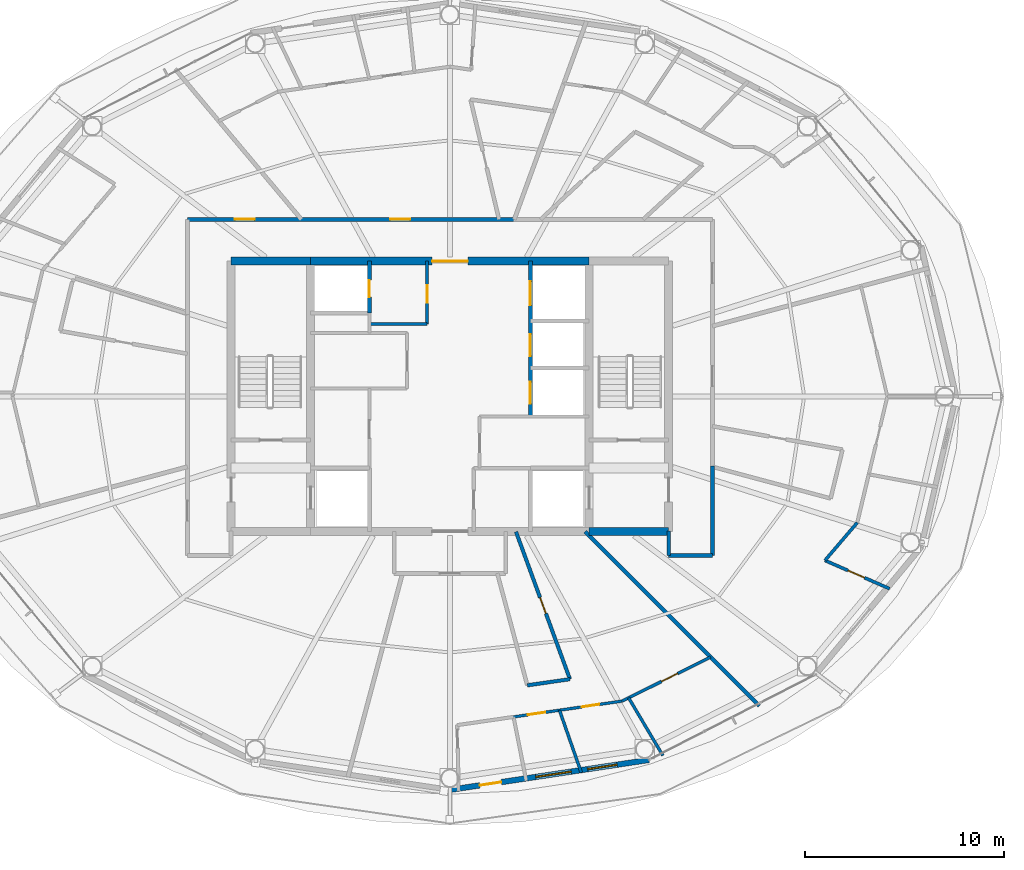
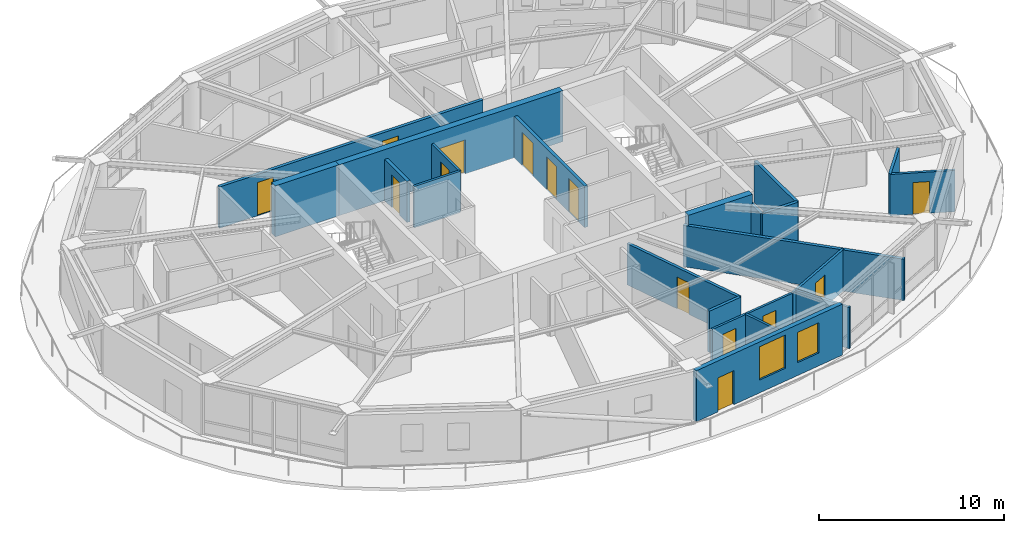
# One storey, part 17 of 23: 21 walls, 14 doors, 2 windows, 16 openings.
"""IFC4 building model written with IfcOpenShell, lengths in metres."""

import ifcopenshell
import ifcopenshell.guid

model = None  # the IFC model being written
_history = None  # IfcOwnerHistory: only IFC2X3 demands one
_inside = {}  # id of a spatial element -> (the spatial element, [elements in it])
_under = {}  # id of a project, library or spatial element -> (it, [spatial elements below it])
_declared = {}  # id of a project -> (the project, [libraries it declares])
_typed = {}  # id of a type object -> (the type object, [elements of that type])
_made_of = {}  # id of a material, layer set ... -> (it, [elements and type objects made of it])


def new_model(schema):
    """Start an empty IFC model of exactly this schema.

    Asked for "IFC4X3", IfcOpenShell would pick the latest addendum, in which some entities
    have other attributes; the version numbers below select the first issue.
    IFC2X3 requires an IfcOwnerHistory on every rooted entity: one is made here for all.
    """
    global model, _history
    if schema == "IFC4X3":
        model = ifcopenshell.file(schema_version=(4, 3, 0, 0))
    else:
        model = ifcopenshell.file(schema=schema)
    _inside.clear()
    _under.clear()
    _declared.clear()
    _typed.clear()
    _made_of.clear()
    _history = None
    if model.schema == "IFC2X3":
        org = make("IfcOrganization", Name="unknown")
        user = make(
            "IfcPersonAndOrganization",
            ThePerson=make("IfcPerson", FamilyName="unknown"),
            TheOrganization=org,
        )
        app = make(
            "IfcApplication",
            ApplicationDeveloper=org,
            Version="unknown",
            ApplicationFullName="unknown",
            ApplicationIdentifier="unknown",
        )
        _history = make(
            "IfcOwnerHistory",
            OwningUser=user,
            OwningApplication=app,
            ChangeAction="ADDED",
            CreationDate=0,
        )
    return model


def make(cls, **values):
    """One entity of the class cls with the attributes given. An attribute that is None is left unset."""
    return model.create_entity(
        cls, **{name: value for name, value in values.items() if value is not None}
    )


def rooted(cls, **values):
    """An entity with a GlobalId (a new one), such as an element, a storey or a relation."""
    return make(cls, GlobalId=ifcopenshell.guid.new(), OwnerHistory=_history, **values)


def si_unit(unit_type, name, prefix=None):
    """IfcSIUnit, for example si_unit("LENGTHUNIT", "METRE", prefix="MILLI")."""
    return make("IfcSIUnit", UnitType=unit_type, Prefix=prefix, Name=name)


def assignment(units):
    """IfcUnitAssignment: the units of a project."""
    return None if units is None else make("IfcUnitAssignment", Units=units)


def point(xyz):
    """IfcCartesianPoint."""
    return None if xyz is None else make("IfcCartesianPoint", Coordinates=xyz)


def direction(xyz):
    """IfcDirection."""
    return None if xyz is None else make("IfcDirection", DirectionRatios=xyz)


def frame(location, z_axis=None, x_axis=None):
    """IfcAxis2Placement3D, a coordinate frame: its origin and axes. An axis left out is left unset."""
    return make(
        "IfcAxis2Placement3D",
        Location=point(location),
        Axis=direction(z_axis),
        RefDirection=direction(x_axis),
    )


def frame_2d(location, x_axis=None):
    """IfcAxis2Placement2D, a coordinate frame in the plane: its origin and x axis."""
    return make(
        "IfcAxis2Placement2D", Location=point(location), RefDirection=direction(x_axis)
    )


def origin():
    """The frame at (0, 0, 0) with its axes left unset."""
    return frame((0.0, 0.0, 0.0))


def place(relative_to, where):
    """IfcLocalPlacement: puts the frame where relative to a parent placement (None: the world)."""
    return make(
        "IfcLocalPlacement", PlacementRelTo=relative_to, RelativePlacement=where
    )


def context(
    kind, dimensions, precision=None, world=None, true_north=None, identifier=None
):
    """IfcGeometricRepresentationContext, for example the 3D "Model" context."""
    return make(
        "IfcGeometricRepresentationContext",
        ContextIdentifier=identifier,
        ContextType=kind,
        CoordinateSpaceDimension=dimensions,
        Precision=precision,
        WorldCoordinateSystem=world,
        TrueNorth=true_north,
    )


def subcontext(parent, identifier, kind, view, scale=None):
    """IfcGeometricRepresentationSubContext, for example "Body" below "Model"."""
    return make(
        "IfcGeometricRepresentationSubContext",
        ContextIdentifier=identifier,
        ContextType=kind,
        ParentContext=parent,
        TargetScale=scale,
        TargetView=view,
    )


def project(units=None, contexts=None):
    """IfcProject with its units and contexts."""
    return rooted(
        "IfcProject",
        Name="project",
        RepresentationContexts=contexts,
        UnitsInContext=assignment(units),
    )


def spatial(cls, under=None, at=None, **own):
    """A site, building, storey or space (cls), placed at a placement, below another one or the project."""
    s = rooted(cls, ObjectPlacement=at, **own)
    if under is not None:
        _under.setdefault(under.id(), (under, []))[1].append(s)
    return s


def profile(cls, at=None, kind="AREA", **sizes):
    """A parametric profile (cls). Its sizes go by their IFC names, for example OverallWidth=200.0."""
    return make(cls, ProfileType=kind, Position=at, **sizes)


def rectangle(**sizes):
    """IfcRectangleProfileDef."""
    return profile("IfcRectangleProfileDef", **sizes)


def extrude(swept, where, along, depth):
    """IfcExtrudedAreaSolid: the profile swept, set in the frame where, extruded along a direction by depth."""
    return make(
        "IfcExtrudedAreaSolid",
        SweptArea=swept,
        Position=where,
        ExtrudedDirection=direction(along),
        Depth=depth,
    )


def shape(context_of_items, identifier, shape_type, items):
    """IfcShapeRepresentation: the items that make up one representation, for example the "Body"."""
    return make(
        "IfcShapeRepresentation",
        ContextOfItems=context_of_items,
        RepresentationIdentifier=identifier,
        RepresentationType=shape_type,
        Items=items,
    )


def material(Name=None, Category=None):
    """IfcMaterial."""
    return make("IfcMaterial", Name=Name, Category=Category)


def layer(
    of_material, thickness, ventilated=None, Name=None, Category=None, Priority=None
):
    """IfcMaterialLayer: one layer of a wall or slab, of a material (None: an air gap)."""
    return make(
        "IfcMaterialLayer",
        Material=of_material,
        LayerThickness=thickness,
        IsVentilated=ventilated,
        Name=Name,
        Category=Category,
        Priority=Priority,
    )


def layer_set(layers, Name=None):
    """IfcMaterialLayerSet."""
    return make("IfcMaterialLayerSet", MaterialLayers=layers, LayerSetName=Name)


def made_of(thing, what):
    """Note that an element or type object is made of a material, layer set ...; save() writes the relation."""
    if what is not None:
        _made_of.setdefault(what.id(), (what, []))[1].append(thing)
    return thing


def type_object(cls, material=None, **own):
    """A type object (cls), such as IfcWallType, which elements share."""
    return made_of(rooted(cls, **own), material)


def element(
    cls,
    number,
    at=None,
    inside=None,
    cuts=None,
    type_object=None,
    material=None,
    context=None,
    identifier="Body",
    shape_type=None,
    held_by="IfcProductDefinitionShape",
    body=None,
    shapes=None,
    **own,
):
    """One element of the class cls, such as IfcWall. Its Tag is "e" and its number.

    at: its placement. inside: the storey or other place that contains it. cuts: it is an
    opening in that element (IfcRelVoidsElement). A single representation is given by context,
    identifier, shape_type and body (its items); several are given by shapes. held_by: the class
    of the entity that holds the representations. save() writes the other relations.
    """
    e = rooted(cls, Tag="e%d" % number, ObjectPlacement=at, **own)
    if body is not None:
        shapes = [shape(context, identifier, shape_type, body)]
    if shapes is not None:
        e.Representation = make(held_by, Representations=shapes)
    if inside is not None:
        _inside.setdefault(inside.id(), (inside, []))[1].append(e)
    if cuts is not None:
        rooted(
            "IfcRelVoidsElement", RelatingBuildingElement=cuts, RelatedOpeningElement=e
        )
    if type_object is not None:
        _typed.setdefault(type_object.id(), (type_object, []))[1].append(e)
    return made_of(e, material)


def fill(opening, filler):
    """IfcRelFillsElement: the door or window that sits in an opening."""
    return rooted(
        "IfcRelFillsElement",
        RelatingOpeningElement=opening,
        RelatedBuildingElement=filler,
    )


def aggregate(whole, parts):
    """IfcRelAggregates: a whole, such as a stair, and the parts it consists of."""
    return rooted("IfcRelAggregates", RelatingObject=whole, RelatedObjects=parts)


def save(model, path):
    """Write the relations noted so far, then the file.

    IfcRelAggregates (storeys below a building ...), IfcRelContainedInSpatialStructure (elements
    in a storey), IfcRelDefinesByType, IfcRelAssociatesMaterial and IfcRelDeclares: one each for
    every whole, place, type object, material and project.
    """
    for whole, parts in _under.values():
        aggregate(whole, parts)
    for where, things in _inside.values():
        rooted(
            "IfcRelContainedInSpatialStructure",
            RelatedElements=things,
            RelatingStructure=where,
        )
    for kind, things in _typed.values():
        rooted("IfcRelDefinesByType", RelatedObjects=things, RelatingType=kind)
    for what, things in _made_of.values():
        rooted("IfcRelAssociatesMaterial", RelatedObjects=things, RelatingMaterial=what)
    for by, libraries in _declared.values():
        rooted("IfcRelDeclares", RelatingContext=by, RelatedDefinitions=libraries)
    model.write(path)


model = new_model("IFC4")

# Units and contexts
model_context = context("Model", 3, precision=1e-05, world=origin(), true_north=direction((0.0, 1.0)))
body_context = subcontext(model_context, "Body", "Model", "MODEL_VIEW")
ifc_project = project(units=[si_unit("LENGTHUNIT", "METRE"), si_unit("AREAUNIT", "SQUARE_METRE"), si_unit("VOLUMEUNIT", "CUBIC_METRE"), si_unit("PLANEANGLEUNIT", "RADIAN"), si_unit("MASSUNIT", "GRAM", prefix="KILO")], contexts=[model_context])

# Site, building, storey
site_placement = place(None, origin())
site = spatial("IfcSite", under=ifc_project, at=site_placement, CompositionType="ELEMENT")
building_placement = place(site_placement, origin())
building = spatial("IfcBuilding", under=site, at=building_placement, Name="Sarneth Arch Tower", CompositionType="ELEMENT")
storey_placement = place(building_placement, frame((0.0, 0.0, 262.199951171875)))
storey = spatial("IfcBuildingStorey", under=building, at=storey_placement, Name="L67", CompositionType="ELEMENT", Elevation=262.199951171875)

# Walls
ifc_material_1 = material(Name="Concrete C50/60", Category="concrete")
ifc_layer_1 = layer(ifc_material_1, 0.39990234375)
ifc_layer_set_1 = layer_set([ifc_layer_1], Name="Concrete C50/60")
wall_type_1 = type_object("IfcWallType", Name="WALL-CORE-400", PredefinedType="SHEAR", material=ifc_layer_set_1)
for number, where, z_axis, x_axis, name in (
    (1, (55.0, 35.199951171875, 0.0), (0.0, 0.0, 1.0), (1.0, 0.0, 0.0), "L67 Core shear wall S-E"),
    (2, (37.0, 48.800048828125, 0.0), (0.0, 0.0, 1.0), (1.0, 0.0, 0.0), "L67 Core shear wall N-W"),
):
    element("IfcWall", number, at=place(storey_placement, frame(where, z_axis=z_axis, x_axis=x_axis)), inside=storey, type_object=wall_type_1, Name=name, PredefinedType="SHEAR", context=body_context, shape_type="SweptSolid", body=[
        extrude(rectangle(XDim=4.0, YDim=0.39990234375, at=frame_2d((2.0, 0.0))), origin(), (0.0, 0.0, 1.0), 3.3701171875),
    ])

# Wall, opening, door
wall_1_placement = place(storey_placement, frame((41.0, 48.800048828125, 0.0), z_axis=(0.0, 0.0, 1.0), x_axis=(1.0, 0.0, 0.0)))
wall_1 = element("IfcWall", 3, at=wall_1_placement, inside=storey, type_object=wall_type_1, Name="L67 Core shear wall N-M", PredefinedType="SHEAR", context=body_context, shape_type="SweptSolid", body=[
    extrude(rectangle(XDim=14.0, YDim=0.39990234375, at=frame_2d((7.0, 0.0))), origin(), (0.0, 0.0, 1.0), 3.3701171875),
])
opening_1_placement = place(wall_1_placement, frame((6.10009765625, 0.0, 0.0)))
opening_1 = element("IfcOpeningElement", 4, at=opening_1_placement, cuts=wall_1, Name="Opening FD-01", PredefinedType="OPENING", context=body_context, shape_type="SweptSolid", body=[
    extrude(rectangle(XDim=1.800048828125, YDim=2.25, at=frame_2d((0.89990234375, 1.125))), frame((0.0, 0.2099609375, 0.0), z_axis=(0.0, -1.0, 0.0), x_axis=(1.0, 0.0, 0.0)), (0.0, 0.0, 1.0), 0.419921875),
])
ifc_material_2 = material(Name="Galvanised Steel S275 fire door set", Category="steel")
door_type_1 = type_object("IfcDoorType", Name="DR-FD90-1800", OperationType="DOUBLE_DOOR_SINGLE_SWING", PredefinedType="DOOR", material=ifc_material_2)
door_1_placement = place(opening_1_placement, origin())
door_1 = element("IfcDoor", 5, at=door_1_placement, inside=storey, type_object=door_type_1, Name="L67 Central lift lobby north door", OperationType="DOUBLE_DOOR_SINGLE_SWING", OverallHeight=2.25, OverallWidth=1.800048828125, PredefinedType="DOOR", context=body_context, shape_type="SweptSolid", body=[
    extrude(rectangle(XDim=1.800048828125, YDim=2.25, at=frame_2d((0.89990234375, 1.125))), frame((0.0, 0.02490234375, 0.0), z_axis=(0.0, -1.0, 0.0), x_axis=(1.0, 0.0, 0.0)), (0.0, 0.0, 1.0), 0.050048828125),
])
fill(opening_1, door_1)

# Wall, openings, doors
ifc_material_3 = material(Name="Double steel-stud corridor fire wall", Category="steel")
ifc_layer_2 = layer(ifc_material_3, 0.18994140625)
ifc_layer_set_2 = layer_set([ifc_layer_2], Name="Double steel-stud corridor fire wall")
wall_type_2 = type_object("IfcWallType", Name="WALL-CORR-190", PredefinedType="PARTITIONING", material=ifc_layer_set_2)
wall_2_placement = place(storey_placement, frame((34.800048828125, 50.89990234375, 0.0), z_axis=(0.0, 0.0, 1.0), x_axis=(1.0, 0.0, 0.0)))
wall_2 = element("IfcWall", 6, at=wall_2_placement, inside=storey, type_object=wall_type_2, Name="L67 Interior partition W-L67-TP-005", PredefinedType="PARTITIONING", context=body_context, shape_type="SweptSolid", body=[
    extrude(rectangle(XDim=16.473388671875, YDim=0.18994140625, at=frame_2d((8.23681640625, 0.0))), origin(), (0.0, 0.0, 1.0), 2.72998046875),
])
opening_2_placement = place(wall_2_placement, frame((10.1962890625, 0.0, 0.0)))
opening_2 = element("IfcOpeningElement", 7, at=opening_2_placement, cuts=wall_2, Name="Opening FD-08", PredefinedType="OPENING", context=body_context, shape_type="SweptSolid", body=[
    extrude(rectangle(XDim=1.0, YDim=2.199951171875, at=frame_2d((0.5, 1.10009765625))), frame((0.0, 0.10498046875, 0.0), z_axis=(0.0, -1.0, 0.0), x_axis=(1.0, 0.0, 0.0)), (0.0, 0.0, 1.0), 0.2099609375),
])
opening_3_placement = place(wall_2_placement, frame((2.386962890625, 0.0, 0.0)))
opening_3 = element("IfcOpeningElement", 8, at=opening_3_placement, cuts=wall_2, Name="Opening FD-08", PredefinedType="OPENING", context=body_context, shape_type="SweptSolid", body=[
    extrude(rectangle(XDim=1.0, YDim=2.199951171875, at=frame_2d((0.5, 1.10009765625))), frame((0.0, 0.10498046875, 0.0), z_axis=(0.0, -1.0, 0.0), x_axis=(1.0, 0.0, 0.0)), (0.0, 0.0, 1.0), 0.2099609375),
])
ifc_material_4 = material(Name="Hardwood timber acoustic fire door", Category="wood")
door_type_2 = type_object("IfcDoorType", Name="DR-FD60-1000", OperationType="SINGLE_SWING_LEFT", PredefinedType="DOOR", material=ifc_material_4)
door_2_placement = place(opening_2_placement, origin())
door_2 = element("IfcDoor", 9, at=door_2_placement, inside=storey, type_object=door_type_2, Name="L67 Interior door DR-L67-U2-ENT", OperationType="SINGLE_SWING_LEFT", OverallHeight=2.199951171875, OverallWidth=1.0, PredefinedType="DOOR", context=body_context, shape_type="SweptSolid", body=[
    extrude(rectangle(XDim=1.0, YDim=2.199951171875, at=frame_2d((0.5, 1.10009765625))), frame((0.0, 0.02490234375, 0.0), z_axis=(0.0, -1.0, 0.0), x_axis=(1.0, 0.0, 0.0)), (0.0, 0.0, 1.0), 0.050048828125),
])
fill(opening_2, door_2)
door_3_placement = place(opening_3_placement, origin())
door_3 = element("IfcDoor", 10, at=door_3_placement, inside=storey, type_object=door_type_2, Name="L67 Interior door DR-L67-U3-ENT", OperationType="SINGLE_SWING_LEFT", OverallHeight=2.199951171875, OverallWidth=1.0, PredefinedType="DOOR", context=body_context, shape_type="SweptSolid", body=[
    extrude(rectangle(XDim=1.0, YDim=2.199951171875, at=frame_2d((0.5, 1.10009765625))), frame((0.0, 0.02490234375, 0.0), z_axis=(0.0, -1.0, 0.0), x_axis=(1.0, 0.0, 0.0)), (0.0, 0.0, 1.0), 0.050048828125),
])
fill(opening_3, door_3)

# Walls
wall_3_placement = place(storey_placement, frame((61.199951171875, 38.49609375, 0.0), z_axis=(0.0, 0.0, 1.0), x_axis=(0.0, -1.0, 0.0)))
element("IfcWall", 11, at=wall_3_placement, inside=storey, type_object=wall_type_2, Name="L67 Interior partition W-L67-TP-014", PredefinedType="PARTITIONING", context=body_context, shape_type="SweptSolid", body=[
    extrude(rectangle(XDim=4.49609375, YDim=0.18994140625, at=frame_2d((2.248046875, 0.0))), origin(), (0.0, 0.0, 1.0), 2.72998046875),
])
wall_4_placement = place(storey_placement, frame((61.199951171875, 34.0, 0.0), z_axis=(0.0, 0.0, 1.0), x_axis=(-1.0, 0.0, 0.0)))
element("IfcWall", 12, at=wall_4_placement, inside=storey, type_object=wall_type_2, Name="L67 Interior partition W-L67-TP-015", PredefinedType="PARTITIONING", context=body_context, shape_type="SweptSolid", body=[
    extrude(rectangle(XDim=2.199951171875, YDim=0.18994140625, at=frame_2d((1.10009765625, 0.0))), origin(), (0.0, 0.0, 1.0), 2.72998046875),
])
wall_5_placement = place(storey_placement, frame((59.0, 34.0, 0.0), z_axis=(0.0, 0.0, 1.0), x_axis=(0.0, 1.0, 0.0)))
element("IfcWall", 13, at=wall_5_placement, inside=storey, type_object=wall_type_2, Name="L67 Interior partition W-L67-TP-016", PredefinedType="PARTITIONING", context=body_context, shape_type="SweptSolid", body=[
    extrude(rectangle(XDim=1.23193359375, YDim=0.18994140625, at=frame_2d((0.615966796875, 0.0))), origin(), (0.0, 0.0, 1.0), 2.72998046875),
])

# Wall, openings, door, windows
ifc_material_5 = material(Name="Extruded terracotta rainscreen on Concrete C40/50 backing", Category="masonry")
ifc_layer_3 = layer(ifc_material_5, 0.280029296875)
ifc_layer_set_3 = layer_set([ifc_layer_3], Name="Extruded terracotta rainscreen on Concrete C40/50 backing")
wall_type_3 = type_object("IfcWallType", Name="WALL-EXT-TERRA-280", PredefinedType="SOLIDWALL", material=ifc_layer_set_3)
wall_6_placement = place(storey_placement, frame((48.0, 22.219970703125, 0.0), z_axis=(0.0, 0.0, 1.0), x_axis=(0.988882522213, 0.148698881169, 0.0)))
wall_6 = element("IfcWall", 14, at=wall_6_placement, inside=storey, type_object=wall_type_3, Name="L67 Terracotta perimeter wall 13", PredefinedType="SOLIDWALL", context=body_context, shape_type="SweptSolid", body=[
    extrude(rectangle(XDim=10.125244140625, YDim=0.280029296875, at=frame_2d((5.0625, 0.0))), origin(), (0.0, 0.0, 1.0), 3.3701171875),
])
opening_4_placement = place(wall_6_placement, frame((1.51611328125, 0.0, 0.0)))
opening_4 = element("IfcOpeningElement", 15, at=opening_4_placement, cuts=wall_6, Name="Opening BD-3", PredefinedType="OPENING", context=body_context, shape_type="SweptSolid", body=[
    extrude(rectangle(XDim=1.10009765625, YDim=2.25, at=frame_2d((0.550048828125, 1.125))), frame((0.0, 0.14990234375, 0.0), z_axis=(0.0, -1.0, 0.0), x_axis=(1.0, 0.0, 0.0)), (0.0, 0.0, 1.0), 0.300048828125),
])
opening_5_placement = place(wall_6_placement, frame((4.361328125, 0.0, 0.85009765625)))
opening_5 = element("IfcOpeningElement", 16, at=opening_5_placement, cuts=wall_6, Name="Opening W-04", PredefinedType="OPENING", context=body_context, shape_type="SweptSolid", body=[
    extrude(rectangle(XDim=1.800048828125, YDim=2.199951171875, at=frame_2d((0.89990234375, 1.10009765625))), frame((0.0, 0.14990234375, 0.0), z_axis=(0.0, -1.0, 0.0), x_axis=(1.0, 0.0, 0.0)), (0.0, 0.0, 1.0), 0.300048828125),
])
opening_6_placement = place(wall_6_placement, frame((6.997314453125, 0.0, 0.85009765625)))
opening_6 = element("IfcOpeningElement", 17, at=opening_6_placement, cuts=wall_6, Name="Opening W-06", PredefinedType="OPENING", context=body_context, shape_type="SweptSolid", body=[
    extrude(rectangle(XDim=1.5, YDim=2.0, at=frame_2d((0.75, 1.0))), frame((0.0, 0.14990234375, 0.0), z_axis=(0.0, -1.0, 0.0), x_axis=(1.0, 0.0, 0.0)), (0.0, 0.0, 1.0), 0.300048828125),
])
ifc_material_6 = material(Name="Thermally broken Aluminium 6063-T6 and laminated safety glass", Category="aluminium")
door_type_3 = type_object("IfcDoorType", Name="DR-BALC-GLZ-1100", OperationType="SINGLE_SWING_LEFT", PredefinedType="DOOR", material=ifc_material_6)
door_4_placement = place(opening_4_placement, origin())
door_4 = element("IfcDoor", 18, at=door_4_placement, inside=storey, type_object=door_type_3, Name="L67 Balcony glazed door 13", OperationType="SINGLE_SWING_LEFT", OverallHeight=2.25, OverallWidth=1.10009765625, PredefinedType="DOOR", context=body_context, shape_type="SweptSolid", body=[
    extrude(rectangle(XDim=1.10009765625, YDim=2.25, at=frame_2d((0.550048828125, 1.125))), frame((0.0, 0.02490234375, 0.0), z_axis=(0.0, -1.0, 0.0), x_axis=(1.0, 0.0, 0.0)), (0.0, 0.0, 1.0), 0.050048828125),
])
fill(opening_4, door_4)
ifc_material_7 = material(Name="Thermally broken Aluminium 6063-T6 and low-e laminated IGU", Category="aluminium")
window_type_1 = type_object("IfcWindowType", Name="WIN-TWR-1500x2000", PartitioningType="SINGLE_PANEL", PredefinedType="WINDOW", material=ifc_material_7)
window_1_placement = place(opening_6_placement, origin())
window_1 = element("IfcWindow", 19, at=window_1_placement, inside=storey, type_object=window_type_1, Name="L67 Exterior window 13B", OverallHeight=2.0, OverallWidth=1.5, PartitioningType="SINGLE_PANEL", PredefinedType="WINDOW", context=body_context, shape_type="SweptSolid", body=[
    extrude(rectangle(XDim=1.5, YDim=2.0, at=frame_2d((0.75, 1.0))), frame((0.0, 0.030029296875, 0.0), z_axis=(0.0, -1.0, 0.0), x_axis=(1.0, 0.0, 0.0)), (0.0, 0.0, 1.0), 0.06005859375),
])
fill(opening_6, window_1)
ifc_material_8 = material(Name="Thermally broken Aluminium 6063-T6 and low-e laminated IGU", Category="aluminium")
window_type_2 = type_object("IfcWindowType", Name="WIN-TWR-1800x2200", PartitioningType="DOUBLE_PANEL_VERTICAL", PredefinedType="WINDOW", material=ifc_material_8)
window_2_placement = place(opening_5_placement, origin())
window_2 = element("IfcWindow", 20, at=window_2_placement, inside=storey, type_object=window_type_2, Name="L67 Exterior window 13A", OverallHeight=2.199951171875, OverallWidth=1.800048828125, PartitioningType="SINGLE_PANEL", PredefinedType="WINDOW", context=body_context, shape_type="SweptSolid", body=[
    extrude(rectangle(XDim=1.800048828125, YDim=2.199951171875, at=frame_2d((0.89990234375, 1.10009765625))), frame((0.0, 0.030029296875, 0.0), z_axis=(0.0, -1.0, 0.0), x_axis=(1.0, 0.0, 0.0)), (0.0, 0.0, 1.0), 0.06005859375),
])
fill(opening_5, window_2)

# Wall, openings, doors
ifc_material_9 = material(Name="Apartment internal stud partition", Category="gypsum")
ifc_layer_4 = layer(ifc_material_9, 0.139892578125)
ifc_layer_set_4 = layer_set([ifc_layer_4], Name="Apartment internal stud partition")
wall_type_4 = type_object("IfcWallType", Name="WALL-PART-140", PredefinedType="PARTITIONING", material=ifc_layer_set_4)
wall_7_placement = place(storey_placement, frame((56.65478515625, 26.68212890625, 0.0), z_axis=(0.0, 0.0, 1.0), x_axis=(-0.989532194991, -0.144312283177, 0.0)))
wall_7 = element("IfcWall", 21, at=wall_7_placement, inside=storey, type_object=wall_type_4, Name="L67 Interior partition W-L67-TP-080", PredefinedType="PARTITIONING", context=body_context, shape_type="SweptSolid", body=[
    extrude(rectangle(XDim=5.5439453125, YDim=0.139892578125, at=frame_2d((2.77197265625, 0.0))), origin(), (0.0, 0.0, 1.0), 2.72998046875),
])
opening_7_placement = place(wall_7_placement, frame((1.155517578125, 0.0, 0.0)))
opening_7 = element("IfcOpeningElement", 22, at=opening_7_placement, cuts=wall_7, Name="Opening ID-01", PredefinedType="OPENING", context=body_context, shape_type="SweptSolid", body=[
    extrude(rectangle(XDim=0.89990234375, YDim=2.10009765625, at=frame_2d((0.449951171875, 1.050048828125))), frame((0.0, 0.079833984375, 0.0), z_axis=(0.0, -1.0, 0.0), x_axis=(1.0, 0.0, 0.0)), (0.0, 0.0, 1.0), 0.159912109375),
])
opening_8_placement = place(wall_7_placement, frame((3.894775390625, 0.0, 0.0)))
opening_8 = element("IfcOpeningElement", 23, at=opening_8_placement, cuts=wall_7, Name="Opening ID-01", PredefinedType="OPENING", context=body_context, shape_type="SweptSolid", body=[
    extrude(rectangle(XDim=0.89990234375, YDim=2.10009765625, at=frame_2d((0.449951171875, 1.050048828125))), frame((0.0, 0.079833984375, 0.0), z_axis=(0.0, -1.0, 0.0), x_axis=(1.0, 0.0, 0.0)), (0.0, 0.0, 1.0), 0.159912109375),
])
ifc_material_10 = material(Name="Engineered hardwood flush door", Category="wood")
door_type_4 = type_object("IfcDoorType", Name="DR-INT-900", OperationType="SINGLE_SWING_LEFT", PredefinedType="DOOR", material=ifc_material_10)
door_5_placement = place(opening_7_placement, origin())
door_5 = element("IfcDoor", 24, at=door_5_placement, inside=storey, type_object=door_type_4, Name="L67 Interior door DR-L67-U5-BED2", OperationType="SINGLE_SWING_LEFT", OverallHeight=2.10009765625, OverallWidth=0.89990234375, PredefinedType="DOOR", context=body_context, shape_type="SweptSolid", body=[
    extrude(rectangle(XDim=0.89990234375, YDim=2.10009765625, at=frame_2d((0.449951171875, 1.050048828125))), frame((0.0, 0.02490234375, 0.0), z_axis=(0.0, -1.0, 0.0), x_axis=(1.0, 0.0, 0.0)), (0.0, 0.0, 1.0), 0.050048828125),
])
fill(opening_7, door_5)
door_6_placement = place(opening_8_placement, origin())
door_6 = element("IfcDoor", 25, at=door_6_placement, inside=storey, type_object=door_type_4, Name="L67 Interior door DR-L67-U5-BED1", OperationType="SINGLE_SWING_RIGHT", OverallHeight=2.10009765625, OverallWidth=0.89990234375, PredefinedType="DOOR", context=body_context, shape_type="SweptSolid", body=[
    extrude(rectangle(XDim=0.89990234375, YDim=2.10009765625, at=frame_2d((0.449951171875, 1.050048828125))), frame((0.0, 0.02490234375, 0.0), z_axis=(0.0, -1.0, 0.0), x_axis=(1.0, 0.0, 0.0)), (0.0, 0.0, 1.0), 0.050048828125),
])
fill(opening_8, door_6)

# Wall
ifc_material_11 = material(Name="Acoustic gypsum stud partition", Category="gypsum")
ifc_layer_5 = layer(ifc_material_11, 0.14990234375)
ifc_layer_set_5 = layer_set([ifc_layer_5], Name="Acoustic gypsum stud partition")
wall_type_5 = type_object("IfcWallType", Name="WALL-PART-150", PredefinedType="PARTITIONING", material=ifc_layer_set_5)
wall_8_placement = place(storey_placement, frame((43.949951171875, 45.64990234375, 0.0), z_axis=(0.0, 0.0, 1.0), x_axis=(1.0, 0.0, 0.0)))
element("IfcWall", 26, at=wall_8_placement, inside=storey, type_object=wall_type_5, Name="L67 Interior partition W-L67-CSUP1-S", PredefinedType="PARTITIONING", context=body_context, shape_type="SweptSolid", body=[
    extrude(rectangle(XDim=2.900146484375, YDim=0.14990234375, at=frame_2d((1.4501953125, 0.0))), origin(), (0.0, 0.0, 1.0), 2.72998046875),
])

# Wall, opening, door
wall_9_placement = place(storey_placement, frame((46.85009765625, 45.64990234375, 0.0), z_axis=(0.0, 0.0, 1.0), x_axis=(0.0, 1.0, 0.0)))
wall_9 = element("IfcWall", 27, at=wall_9_placement, inside=storey, type_object=wall_type_5, Name="L67 Interior partition W-L67-CSUP1-E", PredefinedType="PARTITIONING", context=body_context, shape_type="SweptSolid", body=[
    extrude(rectangle(XDim=3.150146484375, YDim=0.14990234375, at=frame_2d((1.5751953125, 0.0))), origin(), (0.0, 0.0, 1.0), 2.72998046875),
])
opening_9_placement = place(wall_9_placement, frame((1.050048828125, 0.0, 0.0)))
opening_9 = element("IfcOpeningElement", 28, at=opening_9_placement, cuts=wall_9, Name="Opening FD-10", PredefinedType="OPENING", context=body_context, shape_type="SweptSolid", body=[
    extrude(rectangle(XDim=0.89990234375, YDim=2.14990234375, at=frame_2d((0.449951171875, 1.074951171875))), frame((0.0, 0.0849609375, 0.0), z_axis=(0.0, -1.0, 0.0), x_axis=(1.0, 0.0, 0.0)), (0.0, 0.0, 1.0), 0.169921875),
])
ifc_material_12 = material(Name="Galvanised Steel S275 riser/service fire door", Category="steel")
door_type_5 = type_object("IfcDoorType", Name="DR-FD60-900", OperationType="SINGLE_SWING_LEFT", PredefinedType="DOOR", material=ifc_material_12)
door_7_placement = place(opening_9_placement, origin())
door_7 = element("IfcDoor", 29, at=door_7_placement, inside=storey, type_object=door_type_5, Name="L67 Interior door DR-L67-CSUP1", OperationType="SINGLE_SWING_LEFT", OverallHeight=2.14990234375, OverallWidth=0.89990234375, PredefinedType="DOOR", context=body_context, shape_type="SweptSolid", body=[
    extrude(rectangle(XDim=0.89990234375, YDim=2.14990234375, at=frame_2d((0.449951171875, 1.074951171875))), frame((0.0, 0.02490234375, 0.0), z_axis=(0.0, -1.0, 0.0), x_axis=(1.0, 0.0, 0.0)), (0.0, 0.0, 1.0), 0.050048828125),
])
fill(opening_9, door_7)

wall_10_placement = place(storey_placement, frame((56.65478515625, 26.68212890625, 0.0), z_axis=(0.0, 0.0, 1.0), x_axis=(0.895583327025, 0.444893812449, 0.0)))
wall_10 = element("IfcWall", 30, at=wall_10_placement, inside=storey, type_object=wall_type_5, Name="L67 Interior partition W-L67-TP-081", PredefinedType="PARTITIONING", context=body_context, shape_type="SweptSolid", body=[
    extrude(rectangle(XDim=4.970703125, YDim=0.14990234375, at=frame_2d((2.4853515625, 0.0))), origin(), (0.0, 0.0, 1.0), 2.72998046875),
])
opening_10_placement = place(wall_10_placement, frame((2.22021484375, 0.0, 0.0)))
opening_10 = element("IfcOpeningElement", 31, at=opening_10_placement, cuts=wall_10, Name="Opening ID-01", PredefinedType="OPENING", context=body_context, shape_type="SweptSolid", body=[
    extrude(rectangle(XDim=0.89990234375, YDim=2.10009765625, at=frame_2d((0.449951171875, 1.050048828125))), frame((0.0, 0.0849609375, 0.0), z_axis=(0.0, -1.0, 0.0), x_axis=(1.0, 0.0, 0.0)), (0.0, 0.0, 1.0), 0.169921875),
])
door_8_placement = place(opening_10_placement, origin())
door_8 = element("IfcDoor", 32, at=door_8_placement, inside=storey, type_object=door_type_4, Name="L67 Interior door DR-L67-U5-BED3", OperationType="SINGLE_SWING_LEFT", OverallHeight=2.10009765625, OverallWidth=0.89990234375, PredefinedType="DOOR", context=body_context, shape_type="SweptSolid", body=[
    extrude(rectangle(XDim=0.89990234375, YDim=2.10009765625, at=frame_2d((0.449951171875, 1.050048828125))), frame((0.0, 0.02490234375, 0.0), z_axis=(0.0, -1.0, 0.0), x_axis=(1.0, 0.0, 0.0)), (0.0, 0.0, 1.0), 0.050048828125),
])
fill(opening_10, door_8)

# Walls
wall_11_placement = place(storey_placement, frame((58.705810546875, 23.9462890625, 0.0), z_axis=(0.0, 0.0, 1.0), x_axis=(-0.510016720958, 0.860164486795, 0.0)))
element("IfcWall", 33, at=wall_11_placement, inside=storey, type_object=wall_type_5, Name="L67 Interior partition W-L67-TP-085", PredefinedType="PARTITIONING", context=body_context, shape_type="SweptSolid", body=[
    extrude(rectangle(XDim=3.371826171875, YDim=0.14990234375, at=frame_2d((1.68603515625, 0.0))), origin(), (0.0, 0.0, 1.0), 2.72998046875),
])
wall_12_placement = place(storey_placement, frame((53.509765625, 26.223388671875, 0.0), z_axis=(0.0, 0.0, 1.0), x_axis=(0.329694293347, -0.944087746417, 0.0)))
element("IfcWall", 34, at=wall_12_placement, inside=storey, type_object=wall_type_5, Name="L67 Interior partition W-L67-TP-084", PredefinedType="PARTITIONING", context=body_context, shape_type="SweptSolid", body=[
    extrude(rectangle(XDim=3.315185546875, YDim=0.14990234375, at=frame_2d((1.65771484375, 0.0))), origin(), (0.0, 0.0, 1.0), 2.72998046875),
])

# Wall, opening, door
ifc_material_13 = material(Name="Kitchen wet service chase wall", Category="gypsum")
ifc_layer_6 = layer(ifc_material_13, 0.159912109375)
ifc_layer_set_6 = layer_set([ifc_layer_6], Name="Kitchen wet service chase wall")
wall_type_6 = type_object("IfcWallType", Name="WALL-PLUMB-160", PredefinedType="PLUMBINGWALL", material=ifc_layer_set_6)
wall_13_placement = place(storey_placement, frame((70.10791015625, 32.33349609375, 0.0), z_axis=(0.0, 0.0, 1.0), x_axis=(-0.916236311754, 0.400638267048, 0.0)))
wall_13 = element("IfcWall", 35, at=wall_13_placement, inside=storey, type_object=wall_type_6, Name="L67 Interior partition W-L67-TP-087", PredefinedType="PLUMBINGWALL", context=body_context, shape_type="SweptSolid", body=[
    extrude(rectangle(XDim=3.546630859375, YDim=0.159912109375, at=frame_2d((1.7734375, 0.0))), origin(), (0.0, 0.0, 1.0), 2.72998046875),
])
opening_11_placement = place(wall_13_placement, frame((1.38330078125, 0.0, 0.0)))
opening_11 = element("IfcOpeningElement", 36, at=opening_11_placement, cuts=wall_13, Name="Opening ID-01", PredefinedType="OPENING", context=body_context, shape_type="SweptSolid", body=[
    extrude(rectangle(XDim=0.89990234375, YDim=2.10009765625, at=frame_2d((0.449951171875, 1.050048828125))), frame((0.0, 0.08984375, 0.0), z_axis=(0.0, -1.0, 0.0), x_axis=(1.0, 0.0, 0.0)), (0.0, 0.0, 1.0), 0.179931640625),
])
door_9_placement = place(opening_11_placement, origin())
door_9 = element("IfcDoor", 37, at=door_9_placement, inside=storey, type_object=door_type_4, Name="L67 Interior door DR-L67-U6-KIT", OperationType="SINGLE_SWING_LEFT", OverallHeight=2.10009765625, OverallWidth=0.89990234375, PredefinedType="DOOR", context=body_context, shape_type="SweptSolid", body=[
    extrude(rectangle(XDim=0.89990234375, YDim=2.10009765625, at=frame_2d((0.449951171875, 1.050048828125))), frame((0.0, 0.02490234375, 0.0), z_axis=(0.0, -1.0, 0.0), x_axis=(1.0, 0.0, 0.0)), (0.0, 0.0, 1.0), 0.050048828125),
])
fill(opening_11, door_9)

# Wall
wall_14_placement = place(storey_placement, frame((66.8583984375, 33.75439453125, 0.0), z_axis=(0.0, 0.0, 1.0), x_axis=(0.649277541607, 0.760551559044, 0.0)))
element("IfcWall", 38, at=wall_14_placement, inside=storey, type_object=wall_type_6, Name="L67 Interior partition W-L67-TP-088", PredefinedType="PLUMBINGWALL", context=body_context, shape_type="SweptSolid", body=[
    extrude(rectangle(XDim=2.4990234375, YDim=0.159912109375, at=frame_2d((1.24951171875, 0.0))), origin(), (0.0, 0.0, 1.0), 2.72998046875),
])

# Wall, opening, door
ifc_material_14 = material(Name="Moisture-resistant plumbing chase wall", Category="gypsum")
ifc_layer_7 = layer(ifc_material_14, 0.179931640625)
ifc_layer_set_7 = layer_set([ifc_layer_7], Name="Moisture-resistant plumbing chase wall")
wall_type_7 = type_object("IfcWallType", Name="WALL-PLUMB-180", PredefinedType="PLUMBINGWALL", material=ifc_layer_set_7)
wall_15_placement = place(storey_placement, frame((51.322021484375, 35.199951171875, 0.0), z_axis=(0.0, 0.0, 1.0), x_axis=(0.343730484072, -0.939068343796, 0.0)))
wall_15 = element("IfcWall", 39, at=wall_15_placement, inside=storey, type_object=wall_type_7, Name="L67 Interior partition W-L67-TP-075", PredefinedType="PLUMBINGWALL", context=body_context, shape_type="SweptSolid", body=[
    extrude(rectangle(XDim=7.8974609375, YDim=0.179931640625, at=frame_2d((3.94873046875, 0.0))), origin(), (0.0, 0.0, 1.0), 2.72998046875),
])
opening_12_placement = place(wall_15_placement, frame((3.523681640625, 0.0, 0.0)))
opening_12 = element("IfcOpeningElement", 40, at=opening_12_placement, cuts=wall_15, Name="Opening ID-02", PredefinedType="OPENING", context=body_context, shape_type="SweptSolid", body=[
    extrude(rectangle(XDim=0.85009765625, YDim=2.10009765625, at=frame_2d((0.425048828125, 1.050048828125))), frame((0.0, 0.099853515625, 0.0), z_axis=(0.0, -1.0, 0.0), x_axis=(1.0, 0.0, 0.0)), (0.0, 0.0, 1.0), 0.199951171875),
])
ifc_material_15 = material(Name="Moisture-resistant bathroom timber door", Category="wood")
door_type_6 = type_object("IfcDoorType", Name="DR-INT-850", OperationType="SINGLE_SWING_RIGHT", PredefinedType="DOOR", material=ifc_material_15)
door_10_placement = place(opening_12_placement, origin())
door_10 = element("IfcDoor", 41, at=door_10_placement, inside=storey, type_object=door_type_6, Name="L67 Interior door DR-L67-U5-BATH", OperationType="SINGLE_SWING_LEFT", OverallHeight=2.10009765625, OverallWidth=0.85009765625, PredefinedType="DOOR", context=body_context, shape_type="SweptSolid", body=[
    extrude(rectangle(XDim=0.85009765625, YDim=2.10009765625, at=frame_2d((0.425048828125, 1.050048828125))), frame((0.0, 0.02490234375, 0.0), z_axis=(0.0, -1.0, 0.0), x_axis=(1.0, 0.0, 0.0)), (0.0, 0.0, 1.0), 0.050048828125),
])
fill(opening_12, door_10)

# Wall
wall_16_placement = place(storey_placement, frame((54.03662109375, 27.78369140625, 0.0), z_axis=(0.0, 0.0, 1.0), x_axis=(-0.989920178177, -0.141626412926, 0.0)))
element("IfcWall", 42, at=wall_16_placement, inside=storey, type_object=wall_type_7, Name="L67 Interior partition W-L67-TP-076", PredefinedType="PLUMBINGWALL", context=body_context, shape_type="SweptSolid", body=[
    extrude(rectangle(XDim=2.166748046875, YDim=0.179931640625, at=frame_2d((1.08349609375, 0.0))), origin(), (0.0, 0.0, 1.0), 2.72998046875),
])

# Wall, opening, door
ifc_material_16 = material(Name="Aerated concrete blockwork C25/30", Category="masonry")
ifc_layer_8 = layer(ifc_material_16, 0.199951171875)
ifc_layer_set_8 = layer_set([ifc_layer_8], Name="Aerated concrete blockwork C25/30")
wall_type_8 = type_object("IfcWallType", Name="WALL-SHAFT-200", PredefinedType="SOLIDWALL", material=ifc_layer_set_8)
wall_17_placement = place(storey_placement, frame((43.949951171875, 46.199951171875, 0.0), z_axis=(0.0, 0.0, 1.0), x_axis=(0.0, 1.0, 0.0)))
wall_17 = element("IfcWall", 43, at=wall_17_placement, inside=storey, type_object=wall_type_8, Name="L67 Interior partition W-L67-RISER-E", PredefinedType="SOLIDWALL", context=body_context, shape_type="SweptSolid", body=[
    extrude(rectangle(XDim=2.60009765625, YDim=0.199951171875, at=frame_2d((1.300048828125, 0.0))), origin(), (0.0, 0.0, 1.0), 2.72998046875),
])
opening_13_placement = place(wall_17_placement, frame((0.800048828125, 0.0, 0.0)))
opening_13 = element("IfcOpeningElement", 44, at=opening_13_placement, cuts=wall_17, Name="Opening FD-11", PredefinedType="OPENING", context=body_context, shape_type="SweptSolid", body=[
    extrude(rectangle(XDim=0.85009765625, YDim=2.14990234375, at=frame_2d((0.425048828125, 1.074951171875))), frame((0.0, 0.10986328125, 0.0), z_axis=(0.0, -1.0, 0.0), x_axis=(1.0, 0.0, 0.0)), (0.0, 0.0, 1.0), 0.219970703125),
])
ifc_material_17 = material(Name="Galvanised Steel S275 closet fire door", Category="steel")
door_type_7 = type_object("IfcDoorType", Name="DR-FD60-850", OperationType="SINGLE_SWING_LEFT", PredefinedType="DOOR", material=ifc_material_17)
door_11_placement = place(opening_13_placement, origin())
door_11 = element("IfcDoor", 45, at=door_11_placement, inside=storey, type_object=door_type_7, Name="L67 Lift landing door DR-L67-RISER", OperationType="SINGLE_SWING_LEFT", OverallHeight=2.14990234375, OverallWidth=0.85009765625, PredefinedType="DOOR", context=body_context, shape_type="SweptSolid", body=[
    extrude(rectangle(XDim=0.85009765625, YDim=2.14990234375, at=frame_2d((0.425048828125, 1.074951171875))), frame((0.0, 0.02490234375, 0.0), z_axis=(0.0, -1.0, 0.0), x_axis=(1.0, 0.0, 0.0)), (0.0, 0.0, 1.0), 0.050048828125),
])
fill(opening_13, door_11)

# Wall, openings, doors
wall_18_placement = place(storey_placement, frame((52.050048828125, 40.97998046875, 0.0), z_axis=(0.0, 0.0, 1.0), x_axis=(0.0, 1.0, 0.0)))
wall_18 = element("IfcWall", 46, at=wall_18_placement, inside=storey, type_object=wall_type_8, Name="L67 Interior partition W-L67-EASTBANK-UPPER", PredefinedType="SOLIDWALL", context=body_context, shape_type="SweptSolid", body=[
    extrude(rectangle(XDim=7.820068359375, YDim=0.199951171875, at=frame_2d((3.91015625, 0.0))), origin(), (0.0, 0.0, 1.0), 2.72998046875),
])
opening_14_placement = place(wall_18_placement, frame((0.64990234375, 0.0, 0.0)))
opening_14 = element("IfcOpeningElement", 47, at=opening_14_placement, cuts=wall_18, Name="Opening LD-1", PredefinedType="OPENING", context=body_context, shape_type="SweptSolid", body=[
    extrude(rectangle(XDim=1.10009765625, YDim=2.199951171875, at=frame_2d((0.550048828125, 1.10009765625))), frame((0.0, 0.10986328125, 0.0), z_axis=(0.0, -1.0, 0.0), x_axis=(1.0, 0.0, 0.0)), (0.0, 0.0, 1.0), 0.219970703125),
])
opening_15_placement = place(wall_18_placement, frame((3.050048828125, 0.0, 0.0)))
opening_15 = element("IfcOpeningElement", 48, at=opening_15_placement, cuts=wall_18, Name="Opening LD-1", PredefinedType="OPENING", context=body_context, shape_type="SweptSolid", body=[
    extrude(rectangle(XDim=1.10009765625, YDim=2.199951171875, at=frame_2d((0.550048828125, 1.10009765625))), frame((0.0, 0.10986328125, 0.0), z_axis=(0.0, -1.0, 0.0), x_axis=(1.0, 0.0, 0.0)), (0.0, 0.0, 1.0), 0.219970703125),
])
opening_16_placement = place(wall_18_placement, frame((5.60009765625, 0.0, 0.0)))
opening_16 = element("IfcOpeningElement", 49, at=opening_16_placement, cuts=wall_18, Name="Opening LD-2", PredefinedType="OPENING", context=body_context, shape_type="SweptSolid", body=[
    extrude(rectangle(XDim=1.199951171875, YDim=2.199951171875, at=frame_2d((0.60009765625, 1.10009765625))), frame((0.0, 0.10986328125, 0.0), z_axis=(0.0, -1.0, 0.0), x_axis=(1.0, 0.0, 0.0)), (0.0, 0.0, 1.0), 0.219970703125),
])
ifc_material_18 = material(Name="Brushed Stainless Steel 304 lift landing door", Category="steel")
door_type_8 = type_object("IfcDoorType", Name="DR-LIFT-SLIDE-1100", OperationType="SLIDING_TO_LEFT", PredefinedType="DOOR", material=ifc_material_18)
door_12_placement = place(opening_14_placement, origin())
door_12 = element("IfcDoor", 50, at=door_12_placement, inside=storey, type_object=door_type_8, Name="L67 Lift landing door DR-L67-LD-PH1", OperationType="SLIDING_TO_RIGHT", OverallHeight=2.199951171875, OverallWidth=1.10009765625, PredefinedType="DOOR", context=body_context, shape_type="SweptSolid", body=[
    extrude(rectangle(XDim=1.10009765625, YDim=2.199951171875, at=frame_2d((0.550048828125, 1.10009765625))), frame((0.0, 0.02490234375, 0.0), z_axis=(0.0, -1.0, 0.0), x_axis=(1.0, 0.0, 0.0)), (0.0, 0.0, 1.0), 0.050048828125),
])
fill(opening_14, door_12)
door_13_placement = place(opening_15_placement, origin())
door_13 = element("IfcDoor", 51, at=door_13_placement, inside=storey, type_object=door_type_8, Name="L67 Lift landing door DR-L67-LD-PH2", OperationType="SLIDING_TO_LEFT", OverallHeight=2.199951171875, OverallWidth=1.10009765625, PredefinedType="DOOR", context=body_context, shape_type="SweptSolid", body=[
    extrude(rectangle(XDim=1.10009765625, YDim=2.199951171875, at=frame_2d((0.550048828125, 1.10009765625))), frame((0.0, 0.02490234375, 0.0), z_axis=(0.0, -1.0, 0.0), x_axis=(1.0, 0.0, 0.0)), (0.0, 0.0, 1.0), 0.050048828125),
])
fill(opening_15, door_13)
ifc_material_19 = material(Name="Brushed Stainless Steel 304 service lift door", Category="steel")
door_type_9 = type_object("IfcDoorType", Name="DR-LIFT-SLIDE-1200", OperationType="SLIDING_TO_RIGHT", PredefinedType="DOOR", material=ifc_material_19)
door_14_placement = place(opening_16_placement, origin())
door_14 = element("IfcDoor", 52, at=door_14_placement, inside=storey, type_object=door_type_9, Name="L67 Lift landing door DR-L67-LD-SL1", OperationType="SLIDING_TO_RIGHT", OverallHeight=2.199951171875, OverallWidth=1.199951171875, PredefinedType="DOOR", context=body_context, shape_type="SweptSolid", body=[
    extrude(rectangle(XDim=1.199951171875, YDim=2.199951171875, at=frame_2d((0.60009765625, 1.10009765625))), frame((0.0, 0.02490234375, 0.0), z_axis=(0.0, -1.0, 0.0), x_axis=(1.0, 0.0, 0.0)), (0.0, 0.0, 1.0), 0.050048828125),
])
fill(opening_16, door_14)

# Wall
ifc_material_20 = material(Name="Double steel-stud acoustic drywall", Category="steel")
ifc_layer_9 = layer(ifc_material_20, 0.199951171875)
ifc_layer_set_9 = layer_set([ifc_layer_9], Name="Double steel-stud acoustic drywall")
wall_type_9 = type_object("IfcWallType", Name="WALL-UNIT-200", PredefinedType="PARTITIONING", material=ifc_layer_set_9)
wall_19_placement = place(storey_placement, frame((63.560546875, 26.439453125, 0.0), z_axis=(0.0, 0.0, 1.0), x_axis=(-0.707106781187, 0.707106781187, 0.0)))
element("IfcWall", 53, at=wall_19_placement, inside=storey, type_object=wall_type_9, Name="L67 Interior partition W-L67-TP-082", PredefinedType="PARTITIONING", context=body_context, shape_type="SweptSolid", body=[
    extrude(rectangle(XDim=12.38916015625, YDim=0.199951171875, at=frame_2d((6.194580078125, 0.0))), origin(), (0.0, 0.0, 1.0), 2.72998046875),
])

save(model, "model.ifc")
